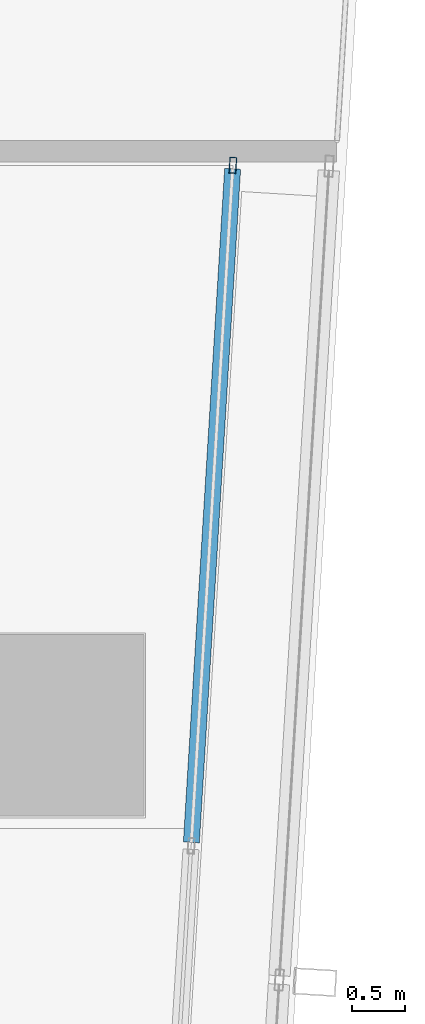
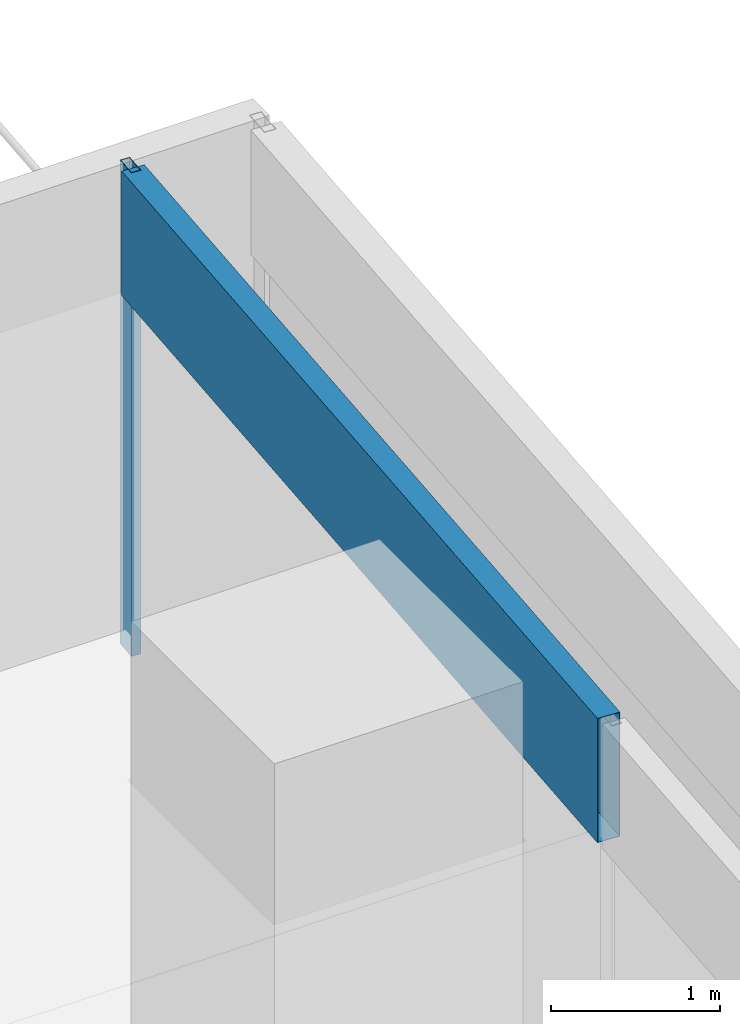
# One storey, part 13 of 40: 2 members, 1 element without a shape of its own.
"""IFC4 building model written with IfcOpenShell, lengths in metres."""

import ifcopenshell
import ifcopenshell.guid

model = None  # the IFC model being written
_history = None  # IfcOwnerHistory: only IFC2X3 demands one
_inside = {}  # id of a spatial element -> (the spatial element, [elements in it])
_under = {}  # id of a project, library or spatial element -> (it, [spatial elements below it])
_declared = {}  # id of a project -> (the project, [libraries it declares])
_typed = {}  # id of a type object -> (the type object, [elements of that type])
_made_of = {}  # id of a material, layer set ... -> (it, [elements and type objects made of it])


def new_model(schema):
    """Start an empty IFC model of exactly this schema.

    Asked for "IFC4X3", IfcOpenShell would pick the latest addendum, in which some entities
    have other attributes; the version numbers below select the first issue.
    IFC2X3 requires an IfcOwnerHistory on every rooted entity: one is made here for all.
    """
    global model, _history
    if schema == "IFC4X3":
        model = ifcopenshell.file(schema_version=(4, 3, 0, 0))
    else:
        model = ifcopenshell.file(schema=schema)
    _inside.clear()
    _under.clear()
    _declared.clear()
    _typed.clear()
    _made_of.clear()
    _history = None
    if model.schema == "IFC2X3":
        org = make("IfcOrganization", Name="unknown")
        user = make(
            "IfcPersonAndOrganization",
            ThePerson=make("IfcPerson", FamilyName="unknown"),
            TheOrganization=org,
        )
        app = make(
            "IfcApplication",
            ApplicationDeveloper=org,
            Version="unknown",
            ApplicationFullName="unknown",
            ApplicationIdentifier="unknown",
        )
        _history = make(
            "IfcOwnerHistory",
            OwningUser=user,
            OwningApplication=app,
            ChangeAction="ADDED",
            CreationDate=0,
        )
    return model


def make(cls, **values):
    """One entity of the class cls with the attributes given. An attribute that is None is left unset."""
    return model.create_entity(
        cls, **{name: value for name, value in values.items() if value is not None}
    )


def rooted(cls, **values):
    """An entity with a GlobalId (a new one), such as an element, a storey or a relation."""
    return make(cls, GlobalId=ifcopenshell.guid.new(), OwnerHistory=_history, **values)


def si_unit(unit_type, name, prefix=None):
    """IfcSIUnit, for example si_unit("LENGTHUNIT", "METRE", prefix="MILLI")."""
    return make("IfcSIUnit", UnitType=unit_type, Prefix=prefix, Name=name)


def assignment(units):
    """IfcUnitAssignment: the units of a project."""
    return None if units is None else make("IfcUnitAssignment", Units=units)


def point(xyz):
    """IfcCartesianPoint."""
    return None if xyz is None else make("IfcCartesianPoint", Coordinates=xyz)


def direction(xyz):
    """IfcDirection."""
    return None if xyz is None else make("IfcDirection", DirectionRatios=xyz)


def frame(location, z_axis=None, x_axis=None):
    """IfcAxis2Placement3D, a coordinate frame: its origin and axes. An axis left out is left unset."""
    return make(
        "IfcAxis2Placement3D",
        Location=point(location),
        Axis=direction(z_axis),
        RefDirection=direction(x_axis),
    )


def frame_2d(location, x_axis=None):
    """IfcAxis2Placement2D, a coordinate frame in the plane: its origin and x axis."""
    return make(
        "IfcAxis2Placement2D", Location=point(location), RefDirection=direction(x_axis)
    )


def origin():
    """The frame at (0, 0, 0) with its axes left unset."""
    return frame((0.0, 0.0, 0.0))


def origin_2d():
    """The frame at (0, 0) in the plane with its x axis left unset."""
    return frame_2d((0.0, 0.0))


def place(relative_to, where):
    """IfcLocalPlacement: puts the frame where relative to a parent placement (None: the world)."""
    return make(
        "IfcLocalPlacement", PlacementRelTo=relative_to, RelativePlacement=where
    )


def context(
    kind, dimensions, precision=None, world=None, true_north=None, identifier=None
):
    """IfcGeometricRepresentationContext, for example the 3D "Model" context."""
    return make(
        "IfcGeometricRepresentationContext",
        ContextIdentifier=identifier,
        ContextType=kind,
        CoordinateSpaceDimension=dimensions,
        Precision=precision,
        WorldCoordinateSystem=world,
        TrueNorth=true_north,
    )


def subcontext(parent, identifier, kind, view, scale=None):
    """IfcGeometricRepresentationSubContext, for example "Body" below "Model"."""
    return make(
        "IfcGeometricRepresentationSubContext",
        ContextIdentifier=identifier,
        ContextType=kind,
        ParentContext=parent,
        TargetScale=scale,
        TargetView=view,
    )


def project(units=None, contexts=None):
    """IfcProject with its units and contexts."""
    return rooted(
        "IfcProject",
        Name="project",
        RepresentationContexts=contexts,
        UnitsInContext=assignment(units),
    )


def spatial(cls, under=None, at=None, **own):
    """A site, building, storey or space (cls), placed at a placement, below another one or the project."""
    s = rooted(cls, ObjectPlacement=at, **own)
    if under is not None:
        _under.setdefault(under.id(), (under, []))[1].append(s)
    return s


def profile(cls, at=None, kind="AREA", **sizes):
    """A parametric profile (cls). Its sizes go by their IFC names, for example OverallWidth=200.0."""
    return make(cls, ProfileType=kind, Position=at, **sizes)


def hollow_rectangle(**sizes):
    """IfcRectangleHollowProfileDef."""
    return profile("IfcRectangleHollowProfileDef", **sizes)


def extrude(swept, where, along, depth):
    """IfcExtrudedAreaSolid: the profile swept, set in the frame where, extruded along a direction by depth."""
    return make(
        "IfcExtrudedAreaSolid",
        SweptArea=swept,
        Position=where,
        ExtrudedDirection=direction(along),
        Depth=depth,
    )


def shape(context_of_items, identifier, shape_type, items):
    """IfcShapeRepresentation: the items that make up one representation, for example the "Body"."""
    return make(
        "IfcShapeRepresentation",
        ContextOfItems=context_of_items,
        RepresentationIdentifier=identifier,
        RepresentationType=shape_type,
        Items=items,
    )


def material(Name=None, Category=None):
    """IfcMaterial."""
    return make("IfcMaterial", Name=Name, Category=Category)


def material_profile(
    of_material, cross_section, Name=None, Category=None, Priority=None
):
    """IfcMaterialProfile: a cross section and its material."""
    return make(
        "IfcMaterialProfile",
        Name=Name,
        Material=of_material,
        Profile=cross_section,
        Priority=Priority,
        Category=Category,
    )


def profile_set(profiles, Name=None, composite=None):
    """IfcMaterialProfileSet."""
    return make(
        "IfcMaterialProfileSet",
        Name=Name,
        MaterialProfiles=profiles,
        CompositeProfile=composite,
    )


def made_of(thing, what):
    """Note that an element or type object is made of a material, layer set ...; save() writes the relation."""
    if what is not None:
        _made_of.setdefault(what.id(), (what, []))[1].append(thing)
    return thing


def type_object(cls, material=None, **own):
    """A type object (cls), such as IfcWallType, which elements share."""
    return made_of(rooted(cls, **own), material)


def element(
    cls,
    number,
    at=None,
    inside=None,
    cuts=None,
    type_object=None,
    material=None,
    context=None,
    identifier="Body",
    shape_type=None,
    held_by="IfcProductDefinitionShape",
    body=None,
    shapes=None,
    **own,
):
    """One element of the class cls, such as IfcWall. Its Tag is "e" and its number.

    at: its placement. inside: the storey or other place that contains it. cuts: it is an
    opening in that element (IfcRelVoidsElement). A single representation is given by context,
    identifier, shape_type and body (its items); several are given by shapes. held_by: the class
    of the entity that holds the representations. save() writes the other relations.
    """
    e = rooted(cls, Tag="e%d" % number, ObjectPlacement=at, **own)
    if body is not None:
        shapes = [shape(context, identifier, shape_type, body)]
    if shapes is not None:
        e.Representation = make(held_by, Representations=shapes)
    if inside is not None:
        _inside.setdefault(inside.id(), (inside, []))[1].append(e)
    if cuts is not None:
        rooted(
            "IfcRelVoidsElement", RelatingBuildingElement=cuts, RelatedOpeningElement=e
        )
    if type_object is not None:
        _typed.setdefault(type_object.id(), (type_object, []))[1].append(e)
    return made_of(e, material)


def aggregate(whole, parts):
    """IfcRelAggregates: a whole, such as a stair, and the parts it consists of."""
    return rooted("IfcRelAggregates", RelatingObject=whole, RelatedObjects=parts)


def save(model, path):
    """Write the relations noted so far, then the file.

    IfcRelAggregates (storeys below a building ...), IfcRelContainedInSpatialStructure (elements
    in a storey), IfcRelDefinesByType, IfcRelAssociatesMaterial and IfcRelDeclares: one each for
    every whole, place, type object, material and project.
    """
    for whole, parts in _under.values():
        aggregate(whole, parts)
    for where, things in _inside.values():
        rooted(
            "IfcRelContainedInSpatialStructure",
            RelatedElements=things,
            RelatingStructure=where,
        )
    for kind, things in _typed.values():
        rooted("IfcRelDefinesByType", RelatedObjects=things, RelatingType=kind)
    for what, things in _made_of.values():
        rooted("IfcRelAssociatesMaterial", RelatedObjects=things, RelatingMaterial=what)
    for by, libraries in _declared.values():
        rooted("IfcRelDeclares", RelatingContext=by, RelatedDefinitions=libraries)
    model.write(path)


model = new_model("IFC4")

# Units and contexts
model_context = context("Model", 3, precision=1e-05, world=origin(), true_north=direction((0.0, 1.0)))
body_context = subcontext(model_context, "Body", "Model", "MODEL_VIEW")
ifc_project = project(units=[si_unit("LENGTHUNIT", "METRE"), si_unit("AREAUNIT", "SQUARE_METRE"), si_unit("VOLUMEUNIT", "CUBIC_METRE"), si_unit("PLANEANGLEUNIT", "RADIAN"), si_unit("MASSUNIT", "GRAM", prefix="KILO")], contexts=[model_context])

# Site, building, storey
site_placement = place(None, origin())
site = spatial("IfcSite", under=ifc_project, at=site_placement, CompositionType="ELEMENT")
building_placement = place(site_placement, origin())
building = spatial("IfcBuilding", under=site, at=building_placement, Name="Rekha Terrace Tower", CompositionType="ELEMENT")
storey_placement = place(building_placement, frame((0.0, 0.0, 129.050048828125)))
storey = spatial("IfcBuildingStorey", under=building, at=storey_placement, Name="L32", CompositionType="ELEMENT", Elevation=129.050048828125)

# Curtain wall, members
ifc_material_1 = material(Name="Aluminium framing", Category="aluminium")
curtain_wall_type = type_object("IfcCurtainWallType", Name="CW1 double skin inner glazing", PredefinedType="USERDEFINED", material=ifc_material_1)
curtain_wall_placement = place(storey_placement, origin())
curtain_wall = element("IfcCurtainWall", 1, at=curtain_wall_placement, inside=storey, type_object=curtain_wall_type, Name="CW1 double skin inner glazing", ObjectType="DOUBLE SKIN INNER GLAZING", PredefinedType="USERDEFINED")
ifc_material_2 = material(Name="Aluminium mullion section", Category="aluminium")
ifc_material_profile_1 = material_profile(ifc_material_2, hollow_rectangle(XDim=0.06494140625, YDim=0.14990234375, WallThickness=0.00390625, at=origin_2d()), Name="AL RHS 65x150")
ifc_profile_set_1 = profile_set([ifc_material_profile_1], Name="Aluminium mullion section")
member_type_1 = type_object("IfcMemberType", Name="CW1 mullion RHS 65 x 150", PredefinedType="MULLION", material=ifc_profile_set_1)
member_1_placement = place(storey_placement, frame((68.884521484375, 30.445556640625, 0.0), z_axis=(0.0, 0.0, 1.0), x_axis=(-0.998127987026, 0.061159803096, 0.0)))
member_1 = element("IfcMember", 2, at=member_1_placement, type_object=member_type_1, Name="CW1 mullion 3", PredefinedType="MULLION", context=body_context, shape_type="SweptSolid", body=[
    extrude(hollow_rectangle(XDim=0.06494140625, YDim=0.14990234375, WallThickness=0.00390625, at=origin_2d()), origin(), (0.0, 0.0, 1.0), 3.5),
])
ifc_material_3 = material(Name="Insulated aluminium spandrel box", Category="aluminium")
ifc_material_profile_2 = material_profile(ifc_material_3, hollow_rectangle(XDim=0.14990234375, YDim=0.89990234375, WallThickness=0.0029296875, at=origin_2d()), Name="AL SPANDREL BOX 150x900")
ifc_profile_set_2 = profile_set([ifc_material_profile_2], Name="Insulated aluminium spandrel box")
member_type_2 = type_object("IfcMemberType", Name="CW1 spandrel transom 150 x 900", PredefinedType="USERDEFINED", material=ifc_profile_set_2)
member_2_placement = place(storey_placement, frame((68.495849609375, 24.10498046875, 3.050048828125), z_axis=(0.061151690931, 0.998128484062, 0.0), x_axis=(-0.998128484062, 0.061151690931, 0.0)))
member_2 = element("IfcMember", 3, at=member_2_placement, type_object=member_type_2, Name="CW1 spandrel transom 2", ObjectType="TRANSOM", PredefinedType="USERDEFINED", context=body_context, shape_type="SweptSolid", body=[
    extrude(hollow_rectangle(XDim=0.14990234375, YDim=0.89990234375, WallThickness=0.0029296875, at=origin_2d()), origin(), (0.0, 0.0, 1.0), 6.31982421875),
])
aggregate(curtain_wall, [member_1, member_2])

save(model, "model.ifc")
